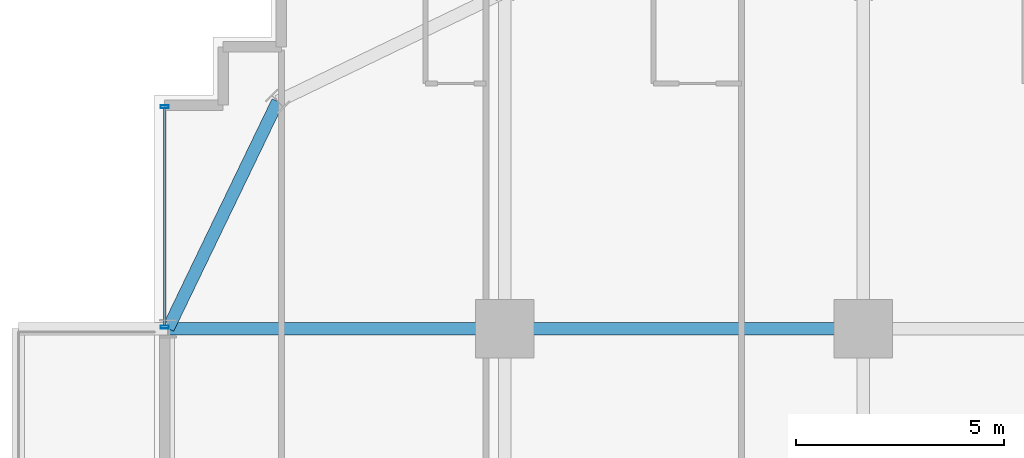
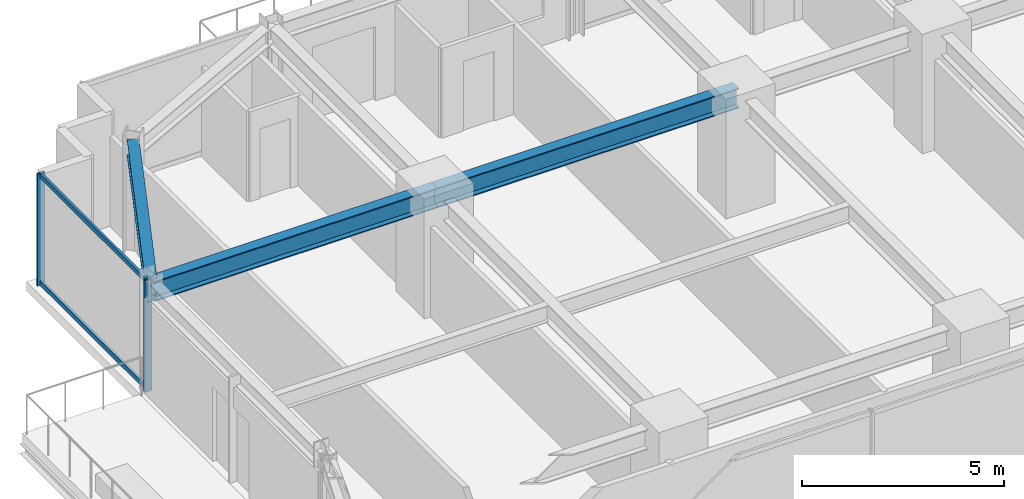
# One storey, part 26 of 42: 4 members, 3 beams, 1 element without a shape of its own.
"""IFC4 building model written with IfcOpenShell, lengths in metres."""

from ifc_helpers import new_model, si_unit, direction, frame, origin, origin_2d, place, context, subcontext, project, spatial, hollow_rectangle, i_section, extrude, source, transform, mapped, material, material_profile, profile_set, type_object, element, aggregate, save


model = new_model("IFC4")

# Units and contexts
model_context = context("Model", 3, precision=1e-05, world=origin(), true_north=direction((0.0, 1.0)))
body_context = subcontext(model_context, "Body", "Model", "MODEL_VIEW")
ifc_project = project(units=[si_unit("LENGTHUNIT", "METRE"), si_unit("AREAUNIT", "SQUARE_METRE"), si_unit("VOLUMEUNIT", "CUBIC_METRE"), si_unit("PLANEANGLEUNIT", "RADIAN"), si_unit("MASSUNIT", "GRAM", prefix="KILO")], contexts=[model_context])

# Site, building, storey
site_placement = place(None, origin())
site = spatial("IfcSite", under=ifc_project, at=site_placement, CompositionType="ELEMENT")
building_placement = place(site_placement, origin())
building = spatial("IfcBuilding", under=site, at=building_placement, Name="Nahalor Promenade Grand Hotel", CompositionType="ELEMENT")
storey_placement = place(building_placement, frame((0.0, 0.0, 61.60009765625)))
storey = spatial("IfcBuildingStorey", under=building, at=storey_placement, Name="L14", CompositionType="ELEMENT", Elevation=61.60009765625)

# Beams
ifc_material_1 = material(Name="Steel S355JR", Category="steel")
ifc_material_profile_1 = material_profile(ifc_material_1, i_section(OverallWidth=0.3, OverallDepth=0.6, WebThickness=0.0155, FlangeThickness=0.03, at=origin_2d()), Name="HEB 600")
ifc_profile_set_1 = profile_set([ifc_material_profile_1], Name="Steel S355JR")
beam_type_1 = type_object("IfcBeamType", Name="Beam-Girder-HEB600", PredefinedType="BEAM", material=ifc_profile_set_1)
shared_shape_1 = source(origin(), body_context, "Body", "SweptSolid", [
    extrude(i_section(OverallWidth=0.3, OverallDepth=0.6, WebThickness=0.0155, FlangeThickness=0.03, at=origin_2d()), origin(), (0.0, 0.0, 1.0), 8.60009765625),
])
beam_1_placement = place(storey_placement, frame((-17.0, 17.0, 3.06982421875), z_axis=(1.0, 0.0, 0.0), x_axis=(0.0, 1.0, 0.0)))
element("IfcBeam", 1, at=beam_1_placement, inside=storey, type_object=beam_type_1, Name="BM-L14-GX-3-1", PredefinedType="BEAM", context=body_context, shape_type="MappedRepresentation", body=[
    mapped(shared_shape_1, transform((0.0, 0.0, 0.0), scale=1.0)),
])
shared_shape_2 = source(origin(), body_context, "Body", "SweptSolid", [
    extrude(i_section(OverallWidth=0.3, OverallDepth=0.6, WebThickness=0.0155, FlangeThickness=0.03, at=origin_2d()), origin(), (0.0, 0.0, 1.0), 8.080078125),
])
beam_2_placement = place(storey_placement, frame((-25.080078125, 17.0, 3.06982421875), z_axis=(1.0, 0.0, 0.0), x_axis=(0.0, 1.0, 0.0)))
element("IfcBeam", 2, at=beam_2_placement, inside=storey, type_object=beam_type_1, Name="BM-L14-GX-3-0", PredefinedType="BEAM", context=body_context, shape_type="MappedRepresentation", body=[
    mapped(shared_shape_2, transform((0.0, 0.0, 0.0), scale=1.0)),
])
ifc_material_profile_2 = material_profile(ifc_material_1, i_section(OverallWidth=0.3, OverallDepth=0.5, WebThickness=0.0145, FlangeThickness=0.028, at=origin_2d()), Name="HEB 500")
ifc_profile_set_2 = profile_set([ifc_material_profile_2], Name="Steel S355JR")
beam_type_2 = type_object("IfcBeamType", Name="Beam-Spandrel-HEB500", PredefinedType="SPANDREL", material=ifc_profile_set_2)
shared_shape_3 = source(origin(), body_context, "Body", "SweptSolid", [
    extrude(i_section(OverallWidth=0.3, OverallDepth=0.5, WebThickness=0.0145, FlangeThickness=0.028, at=origin_2d()), origin(), (0.0, 0.0, 1.0), 6.051513671875),
])
beam_3_placement = place(storey_placement, frame((-22.449951171875, 22.449951171875, 3.119873046875), z_axis=(-0.434630596492, -0.900608818852, 0.0), x_axis=(0.900608818852, -0.434630596492, 0.0)))
element("IfcBeam", 3, at=beam_3_placement, inside=storey, type_object=beam_type_2, Name="BM-L14-SPC-NW-2", PredefinedType="SPANDREL", context=body_context, shape_type="MappedRepresentation", body=[
    mapped(shared_shape_3, transform((0.0, 0.0, 0.0), scale=1.0)),
])

# Curtain wall, members
ifc_material_2 = material(Name="Anodised Bronze Aluminium EN AW-6063 T6", Category="aluminium")
curtain_wall_type = type_object("IfcCurtainWallType", Name="CW3 Elliptical-Void Collar Unitised Curtain Wall", PredefinedType="USERDEFINED", material=ifc_material_2)
curtain_wall_placement = place(storey_placement, origin())
curtain_wall = element("IfcCurtainWall", 4, at=curtain_wall_placement, inside=storey, type_object=curtain_wall_type, Name="L14 Curtain Wall CW-L14-W-4", ObjectType="UNITISED_CURTAIN_WALL", PredefinedType="USERDEFINED")
ifc_material_profile_3 = material_profile(ifc_material_2, hollow_rectangle(XDim=0.07, YDim=0.2, WallThickness=0.005, at=origin_2d()), Name="CWM 70x200x5")
ifc_profile_set_3 = profile_set([ifc_material_profile_3], Name="Anodised Bronze Aluminium EN AW-6063 T6")
member_type_1 = type_object("IfcMemberType", Name="CWM3 Void Collar Mullion 70x200", PredefinedType="MULLION", material=ifc_profile_set_3)
shared_shape_4 = source(origin(), body_context, "Body", "SweptSolid", [
    extrude(hollow_rectangle(XDim=0.07, YDim=0.2, WallThickness=0.005, at=origin_2d()), origin(), (0.0, 0.0, 1.0), 3.369873046875),
])
member_1_placement = place(storey_placement, frame((-25.159912109375, 17.034912109375, 0.0), z_axis=(0.0, 0.0, 1.0), x_axis=(0.0, 1.0, 0.0)))
member_1 = element("IfcMember", 5, at=member_1_placement, type_object=member_type_1, Name="CW-L14-W-4 Mullion 0", PredefinedType="MULLION", context=body_context, shape_type="MappedRepresentation", body=[
    mapped(shared_shape_4, transform((0.0, 0.0, 0.0), scale=1.0)),
])
member_2_placement = place(storey_placement, frame((-25.159912109375, 22.324951171875, 0.0), z_axis=(0.0, 0.0, 1.0), x_axis=(0.0, 1.0, 0.0)))
member_2 = element("IfcMember", 6, at=member_2_placement, type_object=member_type_1, Name="CW-L14-W-4 Mullion 1", PredefinedType="MULLION", context=body_context, shape_type="MappedRepresentation", body=[
    mapped(shared_shape_4, transform((0.0, 0.0, 0.0), scale=1.0)),
])
ifc_material_profile_4 = material_profile(ifc_material_2, hollow_rectangle(XDim=0.07, YDim=0.14, WallThickness=0.004, at=origin_2d()), Name="CWT 70x140x4")
ifc_profile_set_4 = profile_set([ifc_material_profile_4], Name="Anodised Bronze Aluminium EN AW-6063 T6")
member_type_2 = type_object("IfcMemberType", Name="CWT3 Void Collar Transom 70x140", PredefinedType="USERDEFINED", material=ifc_profile_set_4)
shared_shape_5 = source(origin(), body_context, "Body", "SweptSolid", [
    extrude(hollow_rectangle(XDim=0.07, YDim=0.14, WallThickness=0.004, at=origin_2d()), origin(), (0.0, 0.0, 1.0), 5.219970703125),
])
member_3_placement = place(storey_placement, frame((-25.159912109375, 17.070068359375, 0.06982421875), z_axis=(0.0, 1.0, 0.0), x_axis=(-1.0, 0.0, 0.0)))
member_3 = element("IfcMember", 7, at=member_3_placement, type_object=member_type_2, Name="CW-L14-W-4 Transom 0-0", ObjectType="TRANSOM", PredefinedType="USERDEFINED", context=body_context, shape_type="MappedRepresentation", body=[
    mapped(shared_shape_5, transform((0.0, 0.0, 0.0), scale=1.0)),
])
member_4_placement = place(storey_placement, frame((-25.159912109375, 17.070068359375, 3.2998046875), z_axis=(0.0, 1.0, 0.0), x_axis=(-1.0, 0.0, 0.0)))
member_4 = element("IfcMember", 8, at=member_4_placement, type_object=member_type_2, Name="CW-L14-W-4 Transom 0-1", ObjectType="TRANSOM", PredefinedType="USERDEFINED", context=body_context, shape_type="MappedRepresentation", body=[
    mapped(shared_shape_5, transform((0.0, 0.0, 0.0), scale=1.0)),
])
aggregate(curtain_wall, [member_1, member_2, member_3, member_4])

save(model, "model.ifc")
